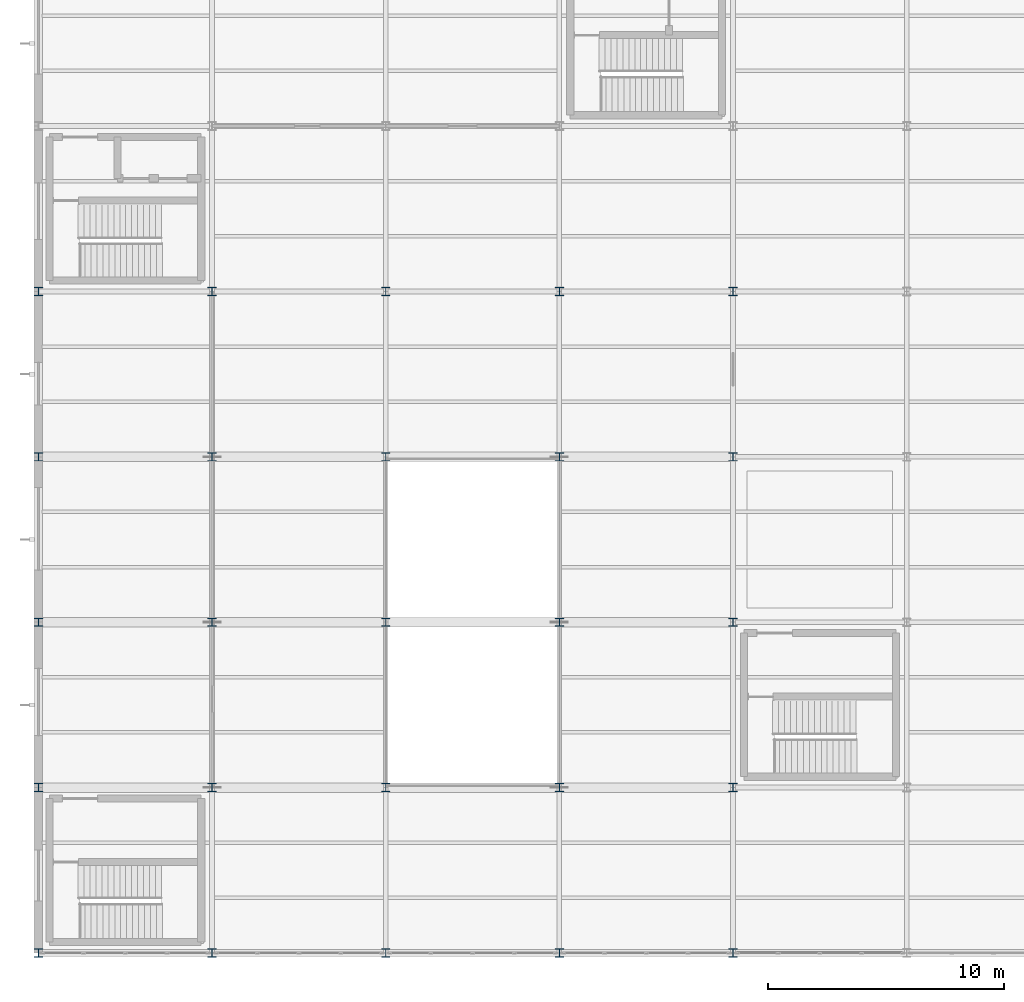
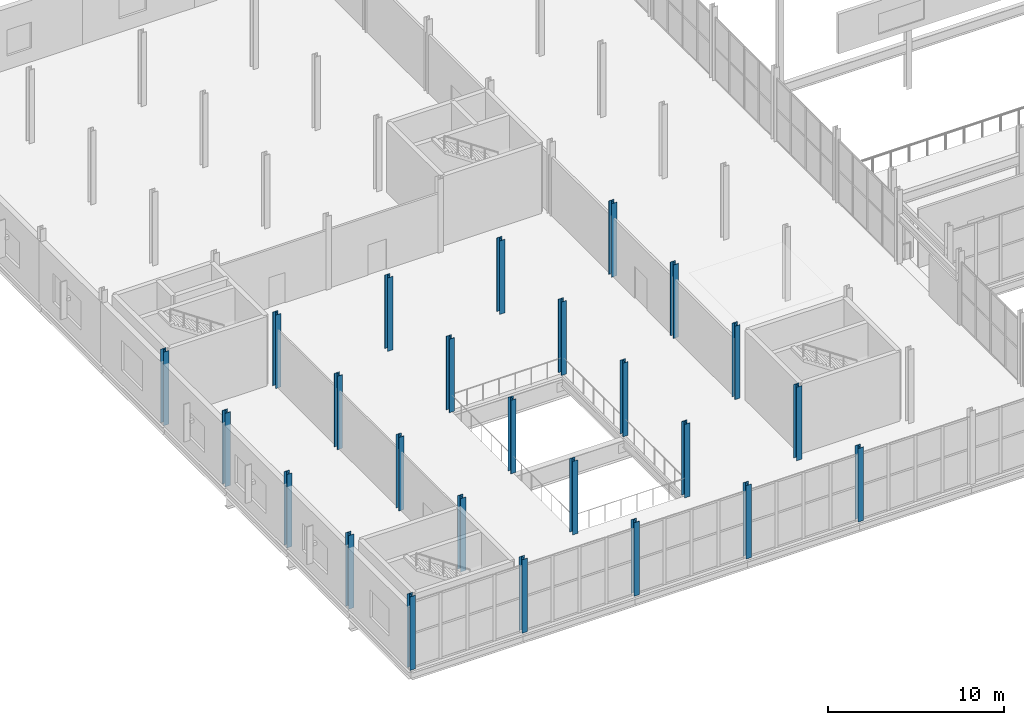
# One storey, part 1 of 218: 25 columns.
"""IFC4 building model written with IfcOpenShell, lengths in metres."""

from ifc_helpers import new_model, si_unit, direction, frame, origin, origin_2d, place, context, subcontext, project, spatial, i_section, extrude, material, material_profile, profile_set, type_object, element, save


model = new_model("IFC4")

# Units and contexts
model_context = context("Model", 3, precision=1e-05, world=origin(), true_north=direction((0.0, 1.0)))
body_context = subcontext(model_context, "Body", "Model", "MODEL_VIEW")
ifc_project = project(units=[si_unit("LENGTHUNIT", "METRE"), si_unit("AREAUNIT", "SQUARE_METRE"), si_unit("VOLUMEUNIT", "CUBIC_METRE"), si_unit("PLANEANGLEUNIT", "RADIAN"), si_unit("MASSUNIT", "GRAM", prefix="KILO")], contexts=[model_context])

# Site, building, storey
site_placement = place(None, origin())
site = spatial("IfcSite", under=ifc_project, at=site_placement, CompositionType="ELEMENT")
building_placement = place(site_placement, origin())
building = spatial("IfcBuilding", under=site, at=building_placement, Name="Kazenagashi Tramway Depot", CompositionType="ELEMENT")
storey_placement = place(building_placement, frame((0.0, 0.0, 6.0)))
storey = spatial("IfcBuildingStorey", under=building, at=storey_placement, Name="L02", CompositionType="ELEMENT", Elevation=6.0)

# Columns
ifc_material = material(Name="Steel SN490B", Category="steel")
ifc_material_profile = material_profile(ifc_material, i_section(OverallWidth=0.35, OverallDepth=0.35, WebThickness=0.012, FlangeThickness=0.019, at=origin_2d()), Name="H-350x350x12x19")
ifc_profile_set = profile_set([ifc_material_profile], Name="Steel SN490B")
column_type = type_object("IfcColumnType", Name="C-04", PredefinedType="COLUMN", material=ifc_profile_set)
for number, where, z_axis, x_axis, name in (
    (1, (0.0, 0.0, 0.0), (0.0, 0.0, 1.0), (1.0, 0.0, 0.0), "Column C-04 COL-0530"),
    (2, (0.0, 7.0, 0.0), (0.0, 0.0, 1.0), (1.0, 0.0, 0.0), "Column C-04 COL-0535"),
    (3, (0.0, 14.0, 0.0), (0.0, 0.0, 1.0), (1.0, 0.0, 0.0), "Column C-04 COL-0540"),
    (4, (0.0, 21.0, 0.0), (0.0, 0.0, 1.0), (1.0, 0.0, 0.0), "Column C-04 COL-0545"),
    (5, (0.0, 28.0, 0.0), (0.0, 0.0, 1.0), (1.0, 0.0, 0.0), "Column C-04 COL-0550"),
    (6, (7.35, 0.0, 0.0), (0.0, 0.0, 1.0), (1.0, 0.0, 0.0), "Column C-04 COL-0575"),
    (7, (7.35, 7.0, 0.0), (0.0, 0.0, 1.0), (1.0, 0.0, 0.0), "Column C-04 COL-0579"),
    (8, (7.35, 14.0, 0.0), (0.0, 0.0, 1.0), (1.0, 0.0, 0.0), "Column C-04 COL-0583"),
    (9, (7.35, 21.0, 0.0), (0.0, 0.0, 1.0), (1.0, 0.0, 0.0), "Column C-04 COL-0587"),
    (10, (7.35, 28.0, 0.0), (0.0, 0.0, 1.0), (1.0, 0.0, 0.0), "Column C-04 COL-0592"),
    (11, (14.7, 0.0, 0.0), (0.0, 0.0, 1.0), (1.0, 0.0, 0.0), "Column C-04 COL-0617"),
    (12, (14.7, 7.0, 0.0), (0.0, 0.0, 1.0), (1.0, 0.0, 0.0), "Column C-04 COL-0622"),
    (13, (14.7, 14.0, 0.0), (0.0, 0.0, 1.0), (1.0, 0.0, 0.0), "Column C-04 COL-0627"),
    (14, (14.7, 21.0, 0.0), (0.0, 0.0, 1.0), (1.0, 0.0, 0.0), "Column C-04 COL-0632"),
    (15, (14.7, 28.0, 0.0), (0.0, 0.0, 1.0), (1.0, 0.0, 0.0), "Column C-04 COL-0637"),
    (16, (22.05, 0.0, 0.0), (0.0, 0.0, 1.0), (1.0, 0.0, 0.0), "Column C-04 COL-0662"),
    (17, (22.05, 7.0, 0.0), (0.0, 0.0, 1.0), (1.0, 0.0, 0.0), "Column C-04 COL-0666"),
    (18, (22.05, 14.0, 0.0), (0.0, 0.0, 1.0), (1.0, 0.0, 0.0), "Column C-04 COL-0670"),
    (19, (22.05, 21.0, 0.0), (0.0, 0.0, 1.0), (1.0, 0.0, 0.0), "Column C-04 COL-0674"),
    (20, (22.05, 28.0, 0.0), (0.0, 0.0, 1.0), (1.0, 0.0, 0.0), "Column C-04 COL-0679"),
    (21, (29.4, 0.0, 0.0), (0.0, 0.0, 1.0), (1.0, 0.0, 0.0), "Column C-04 COL-0704"),
    (22, (29.4, 7.0, 0.0), (0.0, 0.0, 1.0), (1.0, 0.0, 0.0), "Column C-04 COL-0709"),
    (23, (29.4, 14.0, 0.0), (0.0, 0.0, 1.0), (1.0, 0.0, 0.0), "Column C-04 COL-0714"),
    (24, (29.4, 21.0, 0.0), (0.0, 0.0, 1.0), (1.0, 0.0, 0.0), "Column C-04 COL-0719"),
    (25, (29.4, 28.0, 0.0), (0.0, 0.0, 1.0), (1.0, 0.0, 0.0), "Column C-04 COL-0724"),
):
    element("IfcColumn", number, at=place(storey_placement, frame(where, z_axis=z_axis, x_axis=x_axis)), inside=storey, type_object=column_type, Name=name, PredefinedType="COLUMN", context=body_context, shape_type="SweptSolid", body=[
        extrude(i_section(OverallWidth=0.35, OverallDepth=0.35, WebThickness=0.012, FlangeThickness=0.019, at=origin_2d()), origin(), (0.0, 0.0, 1.0), 5.1),
    ])

save(model, "model.ifc")
